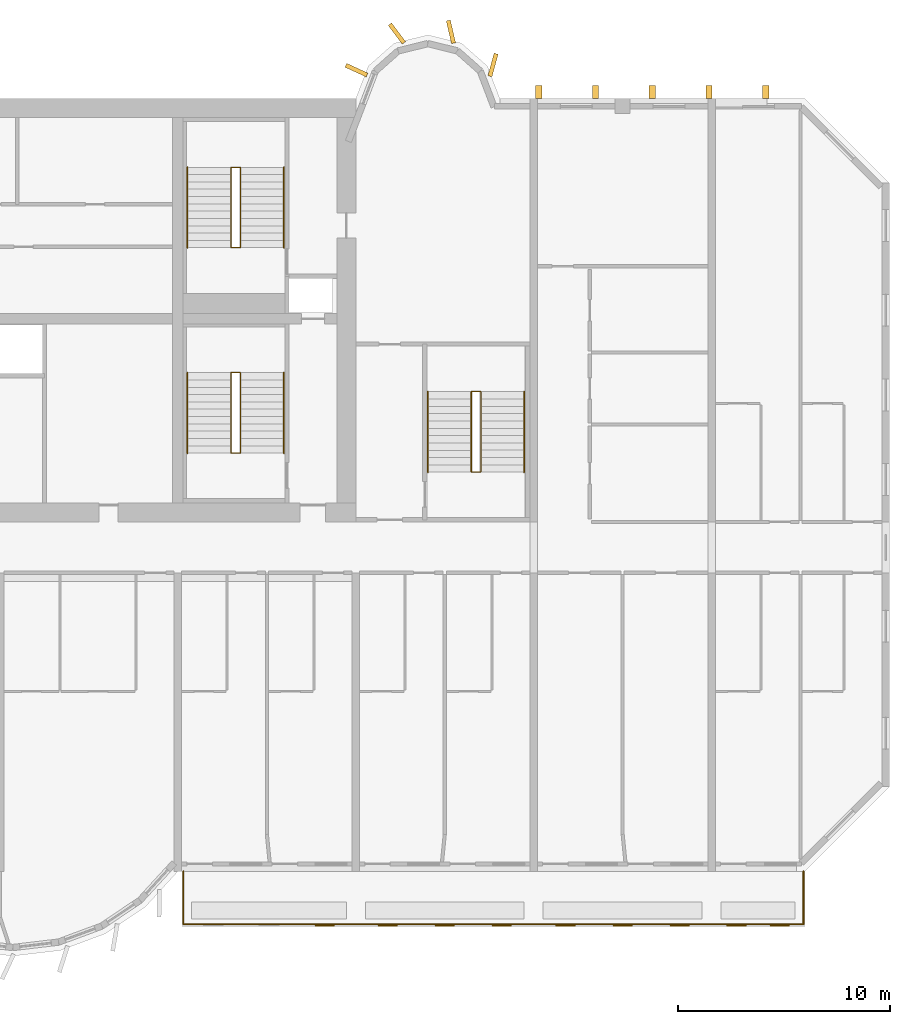
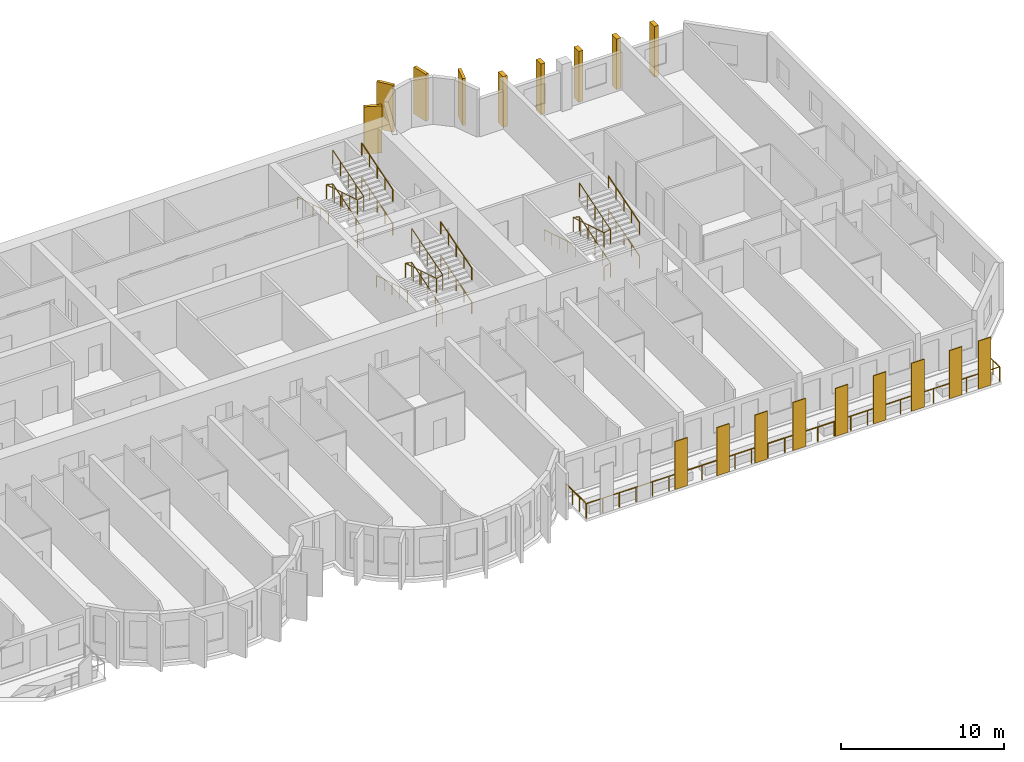
# One storey, part 13 of 14: 18 coverings, 13 railings.
"""IFC4 building model written with IfcOpenShell, lengths in metres."""

from ifc_helpers import new_model, si_unit, direction, frame, origin, origin_2d, place, context, subcontext, project, spatial, rectangle, circle, extrude, source, transform, mapped, material, layer, layer_set, material_profile, profile_set, type_object, element, save


model = new_model("IFC4")

# Units and contexts
model_context = context("Model", 3, precision=1e-05, world=origin(), true_north=direction((0.0, 1.0)))
body_context = subcontext(model_context, "Body", "Model", "MODEL_VIEW")
ifc_project = project(units=[si_unit("LENGTHUNIT", "METRE"), si_unit("AREAUNIT", "SQUARE_METRE"), si_unit("VOLUMEUNIT", "CUBIC_METRE"), si_unit("PLANEANGLEUNIT", "RADIAN"), si_unit("MASSUNIT", "GRAM", prefix="KILO")], contexts=[model_context])

# Site, building, storey
site_placement = place(None, origin())
site = spatial("IfcSite", under=ifc_project, at=site_placement, CompositionType="ELEMENT")
building_placement = place(site_placement, origin())
building = spatial("IfcBuilding", under=site, at=building_placement, Name="Vanashikhar Sky Hotel", CompositionType="ELEMENT")
storey_placement = place(building_placement, frame((0.0, 0.0, 99.0)))
storey = spatial("IfcBuildingStorey", under=building, at=storey_placement, Name="L23", CompositionType="ELEMENT", Elevation=99.0)

# Railing
ifc_material_1 = material(Name="Stainless steel 316", Category="steel")
railing_type_1 = type_object("IfcRailingType", Name="Balcony guard 1100", PredefinedType="GUARDRAIL", material=ifc_material_1)
shared_shape_1 = source(origin(), body_context, "Body", "SweptSolid", [
    extrude(circle(Radius=0.02392578125, at=origin_2d()), frame((0.0, 0.0, 1.076171875), z_axis=(0.0, -1.0, 0.0), x_axis=(1.0, 0.0, 0.0)), (0.0, 0.0, 1.0), 2.5),
    extrude(circle(Radius=0.02392578125, at=origin_2d()), frame((0.0, -2.5, 1.076171875), z_axis=(1.0, 0.0, 0.0), x_axis=(0.0, 1.0, 0.0)), (0.0, 0.0, 1.0), 29.280029296875),
    extrude(circle(Radius=0.02392578125, at=origin_2d()), frame((29.280029296875, -2.5, 1.076171875), z_axis=(0.0, 1.0, 0.0), x_axis=(-1.0, 0.0, 0.0)), (0.0, 0.0, 1.0), 2.5),
    extrude(circle(Radius=0.02099609375, at=origin_2d()), origin(), (0.0, 0.0, 1.0), 1.052001953125),
    extrude(circle(Radius=0.02099609375, at=origin_2d()), frame((0.0, -0.833251953125, 0.0)), (0.0, 0.0, 1.0), 1.052001953125),
    extrude(circle(Radius=0.02099609375, at=origin_2d()), frame((0.0, -1.666748046875, 0.0)), (0.0, 0.0, 1.0), 1.052001953125),
    extrude(circle(Radius=0.02099609375, at=origin_2d()), frame((0.0, -2.5, 0.0)), (0.0, 0.0, 1.0), 1.052001953125),
    extrude(circle(Radius=0.02099609375, at=origin_2d()), frame((1.171142578125, -2.5, 0.0)), (0.0, 0.0, 1.0), 1.052001953125),
    extrude(circle(Radius=0.02099609375, at=origin_2d()), frame((2.34228515625, -2.5, 0.0)), (0.0, 0.0, 1.0), 1.052001953125),
    extrude(circle(Radius=0.02099609375, at=origin_2d()), frame((3.513671875, -2.5, 0.0)), (0.0, 0.0, 1.0), 1.052001953125),
    extrude(circle(Radius=0.02099609375, at=origin_2d()), frame((4.684814453125, -2.5, 0.0)), (0.0, 0.0, 1.0), 1.052001953125),
    extrude(circle(Radius=0.02099609375, at=origin_2d()), frame((5.85595703125, -2.5, 0.0)), (0.0, 0.0, 1.0), 1.052001953125),
    extrude(circle(Radius=0.02099609375, at=origin_2d()), frame((7.027099609375, -2.5, 0.0)), (0.0, 0.0, 1.0), 1.052001953125),
    extrude(circle(Radius=0.02099609375, at=origin_2d()), frame((8.198486328125, -2.5, 0.0)), (0.0, 0.0, 1.0), 1.052001953125),
    extrude(circle(Radius=0.02099609375, at=origin_2d()), frame((9.36962890625, -2.5, 0.0)), (0.0, 0.0, 1.0), 1.052001953125),
    extrude(circle(Radius=0.02099609375, at=origin_2d()), frame((10.540771484375, -2.5, 0.0)), (0.0, 0.0, 1.0), 1.052001953125),
    extrude(circle(Radius=0.02099609375, at=origin_2d()), frame((11.7119140625, -2.5, 0.0)), (0.0, 0.0, 1.0), 1.052001953125),
    extrude(circle(Radius=0.02099609375, at=origin_2d()), frame((12.88330078125, -2.5, 0.0)), (0.0, 0.0, 1.0), 1.052001953125),
    extrude(circle(Radius=0.02099609375, at=origin_2d()), frame((14.054443359375, -2.5, 0.0)), (0.0, 0.0, 1.0), 1.052001953125),
    extrude(circle(Radius=0.02099609375, at=origin_2d()), frame((15.2255859375, -2.5, 0.0)), (0.0, 0.0, 1.0), 1.052001953125),
    extrude(circle(Radius=0.02099609375, at=origin_2d()), frame((16.396728515625, -2.5, 0.0)), (0.0, 0.0, 1.0), 1.052001953125),
    extrude(circle(Radius=0.02099609375, at=origin_2d()), frame((17.568115234375, -2.5, 0.0)), (0.0, 0.0, 1.0), 1.052001953125),
    extrude(circle(Radius=0.02099609375, at=origin_2d()), frame((18.7392578125, -2.5, 0.0)), (0.0, 0.0, 1.0), 1.052001953125),
    extrude(circle(Radius=0.02099609375, at=origin_2d()), frame((19.910400390625, -2.5, 0.0)), (0.0, 0.0, 1.0), 1.052001953125),
    extrude(circle(Radius=0.02099609375, at=origin_2d()), frame((21.08154296875, -2.5, 0.0)), (0.0, 0.0, 1.0), 1.052001953125),
    extrude(circle(Radius=0.02099609375, at=origin_2d()), frame((22.2529296875, -2.5, 0.0)), (0.0, 0.0, 1.0), 1.052001953125),
    extrude(circle(Radius=0.02099609375, at=origin_2d()), frame((23.424072265625, -2.5, 0.0)), (0.0, 0.0, 1.0), 1.052001953125),
    extrude(circle(Radius=0.02099609375, at=origin_2d()), frame((24.59521484375, -2.5, 0.0)), (0.0, 0.0, 1.0), 1.052001953125),
    extrude(circle(Radius=0.02099609375, at=origin_2d()), frame((25.766357421875, -2.5, 0.0)), (0.0, 0.0, 1.0), 1.052001953125),
    extrude(circle(Radius=0.02099609375, at=origin_2d()), frame((26.937744140625, -2.5, 0.0)), (0.0, 0.0, 1.0), 1.052001953125),
    extrude(circle(Radius=0.02099609375, at=origin_2d()), frame((28.10888671875, -2.5, 0.0)), (0.0, 0.0, 1.0), 1.052001953125),
    extrude(circle(Radius=0.02099609375, at=origin_2d()), frame((29.280029296875, -2.5, 0.0)), (0.0, 0.0, 1.0), 1.052001953125),
    extrude(circle(Radius=0.02099609375, at=origin_2d()), frame((29.280029296875, -1.666748046875, 0.0)), (0.0, 0.0, 1.0), 1.052001953125),
    extrude(circle(Radius=0.02099609375, at=origin_2d()), frame((29.280029296875, -0.833251953125, 0.0)), (0.0, 0.0, 1.0), 1.052001953125),
    extrude(circle(Radius=0.02099609375, at=origin_2d()), frame((29.280029296875, 0.0, 0.0)), (0.0, 0.0, 1.0), 1.052001953125),
])
railing_1_placement = place(storey_placement, frame((67.4599609375, 5.5, -0.050048828125)))
element("IfcRailing", 1, at=railing_1_placement, inside=storey, type_object=railing_type_1, Name="Balcony guard", PredefinedType="GUARDRAIL", context=body_context, shape_type="MappedRepresentation", body=[
    mapped(shared_shape_1, transform((0.0, 0.0, 0.0), scale=1.0)),
])

# Coverings
ifc_material_2 = material(Name="Terracotta", Category="masonry")
ifc_layer = layer(ifc_material_2, 0.06005859375)
ifc_layer_set = layer_set([ifc_layer], Name="Terracotta baguette screen")
covering_type_1 = type_object("IfcCoveringType", Name="Terracotta baguette screen", PredefinedType="CLADDING", material=ifc_layer_set)
shared_shape_2 = source(origin(), body_context, "Body", "SweptSolid", [
    extrude(rectangle(XDim=0.89990234375, YDim=0.06005859375, at=origin_2d()), origin(), (0.0, 0.0, 1.0), 3.60009765625),
])
for number, where, z_axis, x_axis, name in (
    (2, (74.13330078125, 2.929931640625, -0.050048828125), (0.0, 0.0, 1.0), (1.0, 0.0, 0.0), "Terracotta screen"),
    (3, (77.10009765625, 2.929931640625, -0.050048828125), (0.0, 0.0, 1.0), (1.0, 0.0, 0.0), "Terracotta screen"),
    (4, (79.800048828125, 2.929931640625, -0.050048828125), (0.0, 0.0, 1.0), (1.0, 0.0, 0.0), "Terracotta screen"),
    (5, (82.5, 2.929931640625, -0.050048828125), (0.0, 0.0, 1.0), (1.0, 0.0, 0.0), "Terracotta screen"),
    (6, (85.5, 2.929931640625, -0.050048828125), (0.0, 0.0, 1.0), (1.0, 0.0, 0.0), "Terracotta screen"),
    (7, (88.199951171875, 2.929931640625, -0.050048828125), (0.0, 0.0, 1.0), (1.0, 0.0, 0.0), "Terracotta screen"),
    (8, (90.89990234375, 2.929931640625, -0.050048828125), (0.0, 0.0, 1.0), (1.0, 0.0, 0.0), "Terracotta screen"),
    (9, (93.574951171875, 2.929931640625, -0.050048828125), (0.0, 0.0, 1.0), (1.0, 0.0, 0.0), "Terracotta screen"),
    (10, (95.625, 2.929931640625, -0.050048828125), (0.0, 0.0, 1.0), (1.0, 0.0, 0.0), "Terracotta screen"),
):
    element("IfcCovering", number, at=place(storey_placement, frame(where, z_axis=z_axis, x_axis=x_axis)), inside=storey, type_object=covering_type_1, Name=name, PredefinedType="CLADDING", context=body_context, shape_type="MappedRepresentation", body=[
        mapped(shared_shape_2, transform((0.0, 0.0, 0.0), scale=1.0)),
    ])
ifc_material_3 = material(Name="Concrete M60 dark", Category="concrete")
ifc_material_profile_1 = material_profile(ifc_material_3, rectangle(XDim=1.10009765625, YDim=0.199951171875, at=origin_2d()))
ifc_profile_set_1 = profile_set([ifc_material_profile_1], Name="Rear lobe fin 1100 x 200")
covering_type_2 = type_object("IfcCoveringType", Name="Rear lobe fin 1100 x 200", PredefinedType="CLADDING", material=ifc_profile_set_1)
shared_shape_3 = source(origin(), body_context, "Body", "SweptSolid", [
    extrude(rectangle(XDim=1.10009765625, YDim=0.199951171875, at=origin_2d()), origin(), (0.0, 0.0, 1.0), 3.52001953125),
])
for number, where, z_axis, x_axis, name in (
    (11, (75.63037109375, 43.33447265625, 0.0), (0.0, 0.0, 1.0), (-0.908004291068, 0.418960866193, 0.0), "Fin R2-1"),
    (12, (77.5380859375, 45.06640625, 0.0), (0.0, 0.0, 1.0), (-0.602065892195, 0.798446404874, 0.0), "Fin R2-2"),
    (13, (80.08984375, 45.1455078125, 0.0), (0.0, 0.0, 1.0), (-0.224644935864, 0.974440687159, 0.0), "Fin R2-3"),
    (14, (82.0791015625, 43.580078125, 0.0), (0.0, 0.0, 1.0), (0.262711264409, 0.964874495234, 0.0), "Fin R2-4"),
):
    element("IfcCovering", number, at=place(storey_placement, frame(where, z_axis=z_axis, x_axis=x_axis)), inside=storey, type_object=covering_type_2, Name=name, PredefinedType="CLADDING", context=body_context, shape_type="MappedRepresentation", body=[
        mapped(shared_shape_3, transform((0.0, 0.0, 0.0), scale=1.0)),
    ])
ifc_material_profile_2 = material_profile(ifc_material_3, rectangle(XDim=0.60009765625, YDim=0.300048828125, at=origin_2d()))
ifc_profile_set_2 = profile_set([ifc_material_profile_2], Name="Rear rib 600 x 300")
covering_type_3 = type_object("IfcCoveringType", Name="Rear rib 600 x 300", PredefinedType="CLADDING", material=ifc_profile_set_2)
shared_shape_4 = source(origin(), body_context, "Body", "SweptSolid", [
    extrude(rectangle(XDim=0.60009765625, YDim=0.300048828125, at=origin_2d()), origin(), (0.0, 0.0, 1.0), 3.800048828125),
])
for number, where, z_axis, x_axis, name in (
    (15, (84.239990234375, 42.300048828125, -0.280029296875), (0.0, 0.0, 1.0), (0.0, 1.0, 0.0), "Rear rib"),
    (16, (86.919921875, 42.300048828125, -0.280029296875), (0.0, 0.0, 1.0), (0.0, 1.0, 0.0), "Rear rib"),
    (17, (89.60009765625, 42.300048828125, -0.280029296875), (0.0, 0.0, 1.0), (0.0, 1.0, 0.0), "Rear rib"),
    (18, (92.280029296875, 42.300048828125, -0.280029296875), (0.0, 0.0, 1.0), (0.0, 1.0, 0.0), "Rear rib"),
    (19, (94.9599609375, 42.300048828125, -0.280029296875), (0.0, 0.0, 1.0), (0.0, 1.0, 0.0), "Rear rib"),
):
    element("IfcCovering", number, at=place(storey_placement, frame(where, z_axis=z_axis, x_axis=x_axis)), inside=storey, type_object=covering_type_3, Name=name, PredefinedType="CLADDING", context=body_context, shape_type="MappedRepresentation", body=[
        mapped(shared_shape_4, transform((0.0, 0.0, 0.0), scale=1.0)),
    ])

# Railings
ifc_material_4 = material(Name="Steel S355", Category="steel")
railing_type_2 = type_object("IfcRailingType", Name="Stair handrail 900", PredefinedType="HANDRAIL", material=ifc_material_4)
shared_shape_5 = source(origin(), body_context, "Body", "SweptSolid", [
    extrude(circle(Radius=0.02392578125, at=origin_2d()), frame((0.0, 0.0, 0.8759765625), z_axis=(0.0, 0.95635109408, 0.292220096591), x_axis=(-1.0, 0.0, 0.0)), (0.0, 0.0, 1.0), 3.973388671875),
    extrude(circle(Radius=0.02099609375, at=origin_2d()), origin(), (0.0, 0.0, 1.0), 0.851806640625),
    extrude(circle(Radius=0.02099609375, at=origin_2d()), frame((0.0, 0.949951171875, 0.290283203125)), (0.0, 0.0, 1.0), 0.851806640625),
    extrude(circle(Radius=0.02099609375, at=origin_2d()), frame((0.0, 1.89990234375, 0.58056640625)), (0.0, 0.0, 1.0), 0.851806640625),
    extrude(circle(Radius=0.02099609375, at=origin_2d()), frame((0.0, 2.85009765625, 0.870849609375)), (0.0, 0.0, 1.0), 0.851806640625),
    extrude(circle(Radius=0.02099609375, at=origin_2d()), frame((0.0, 3.800048828125, 1.1611328125)), (0.0, 0.0, 1.0), 0.851806640625),
])
for number, where, name in (
    (20, (72.199951171875, 25.25, 0.10546875), "Exit stair 2 handrail"),
    (21, (72.199951171875, 25.25, 2.638916015625), "Exit stair 2 handrail"),
    (22, (72.199951171875, 34.949951171875, 0.10546875), "Exit stair 6 handrail"),
    (23, (72.199951171875, 34.949951171875, 2.638916015625), "Exit stair 6 handrail"),
):
    element("IfcRailing", number, at=place(storey_placement, frame(where)), inside=storey, type_object=railing_type_2, Name=name, PredefinedType="HANDRAIL", context=body_context, shape_type="MappedRepresentation", body=[
        mapped(shared_shape_5, transform((0.0, 0.0, 0.0), scale=1.0)),
    ])
shared_shape_6 = source(origin(), body_context, "Body", "SweptSolid", [
    extrude(circle(Radius=0.02392578125, at=origin_2d()), frame((0.0, 0.0, 0.8759765625), z_axis=(0.0, -0.95635109408, 0.292220096591), x_axis=(1.0, 0.0, 0.0)), (0.0, 0.0, 1.0), 3.973388671875),
    extrude(circle(Radius=0.02099609375, at=origin_2d()), origin(), (0.0, 0.0, 1.0), 0.851806640625),
    extrude(circle(Radius=0.02099609375, at=origin_2d()), frame((0.0, -0.949951171875, 0.290283203125)), (0.0, 0.0, 1.0), 0.851806640625),
    extrude(circle(Radius=0.02099609375, at=origin_2d()), frame((0.0, -1.89990234375, 0.58056640625)), (0.0, 0.0, 1.0), 0.851806640625),
    extrude(circle(Radius=0.02099609375, at=origin_2d()), frame((0.0, -2.85009765625, 0.870849609375)), (0.0, 0.0, 1.0), 0.851806640625),
    extrude(circle(Radius=0.02099609375, at=origin_2d()), frame((0.0, -3.800048828125, 1.1611328125)), (0.0, 0.0, 1.0), 0.851806640625),
])
for number, where, name in (
    (24, (67.64990234375, 29.050048828125, 1.372314453125), "Exit stair 2 handrail"),
    (25, (67.64990234375, 38.75, 1.372314453125), "Exit stair 6 handrail"),
):
    element("IfcRailing", number, at=place(storey_placement, frame(where)), inside=storey, type_object=railing_type_2, Name=name, PredefinedType="HANDRAIL", context=body_context, shape_type="MappedRepresentation", body=[
        mapped(shared_shape_6, transform((0.0, 0.0, 0.0), scale=1.0)),
    ])
railing_type_3 = type_object("IfcRailingType", Name="Stair guard 1100", PredefinedType="GUARDRAIL", material=ifc_material_4)
shared_shape_7 = source(origin(), body_context, "Body", "SweptSolid", [
    extrude(circle(Radius=0.02392578125, at=origin_2d()), frame((0.0, 0.0, 1.076171875), z_axis=(0.973610808694, 0.0, 0.228214796178), x_axis=(0.0, 1.0, 0.0)), (0.0, 0.0, 1.0), 0.462158203125),
    extrude(circle(Radius=0.02392578125, at=origin_2d()), frame((0.449951171875, 0.0, 1.181640625), z_axis=(0.0, 0.95635109408, 0.292220096591), x_axis=(-1.0, 0.0, 0.0)), (0.0, 0.0, 1.0), 3.973388671875),
    extrude(circle(Radius=0.02392578125, at=origin_2d()), frame((0.449951171875, 3.800048828125, 2.3427734375), z_axis=(-0.973493315427, 0.0, 0.228715466945), x_axis=(0.0, -1.0, 0.0)), (0.0, 0.0, 1.0), 0.462158203125),
    extrude(circle(Radius=0.02392578125, at=origin_2d()), frame((0.0, 3.800048828125, 2.4482421875), z_axis=(0.0, -0.95635109408, 0.292220096591), x_axis=(1.0, 0.0, 0.0)), (0.0, 0.0, 1.0), 3.973388671875),
    extrude(circle(Radius=0.02392578125, at=origin_2d()), frame((0.0, 0.0, 3.609375), z_axis=(0.973610808694, 0.0, 0.228214796178), x_axis=(0.0, 1.0, 0.0)), (0.0, 0.0, 1.0), 0.462158203125),
    extrude(circle(Radius=0.02392578125, at=origin_2d()), frame((0.449951171875, 0.0, 3.71484375), z_axis=(0.0, 0.95635109408, 0.292220096591), x_axis=(-1.0, 0.0, 0.0)), (0.0, 0.0, 1.0), 3.973388671875),
    extrude(circle(Radius=0.02099609375, at=origin_2d()), origin(), (0.0, 0.0, 1.0), 1.052001953125),
    extrude(circle(Radius=0.02099609375, at=origin_2d()), frame((0.449951171875, 0.0, 0.10546875)), (0.0, 0.0, 1.0), 1.052001953125),
    extrude(circle(Radius=0.02099609375, at=origin_2d()), frame((0.449951171875, 0.949951171875, 0.395751953125)), (0.0, 0.0, 1.0), 1.052001953125),
    extrude(circle(Radius=0.02099609375, at=origin_2d()), frame((0.449951171875, 1.89990234375, 0.68603515625)), (0.0, 0.0, 1.0), 1.052001953125),
    extrude(circle(Radius=0.02099609375, at=origin_2d()), frame((0.449951171875, 2.85009765625, 0.976318359375)), (0.0, 0.0, 1.0), 1.052001953125),
    extrude(circle(Radius=0.02099609375, at=origin_2d()), frame((0.449951171875, 3.800048828125, 1.2666015625)), (0.0, 0.0, 1.0), 1.052001953125),
    extrude(circle(Radius=0.02099609375, at=origin_2d()), frame((0.0, 3.800048828125, 1.372314453125)), (0.0, 0.0, 1.0), 1.052001953125),
    extrude(circle(Radius=0.02099609375, at=origin_2d()), frame((0.0, 2.85009765625, 1.66259765625)), (0.0, 0.0, 1.0), 1.052001953125),
    extrude(circle(Radius=0.02099609375, at=origin_2d()), frame((0.0, 1.89990234375, 1.952880859375)), (0.0, 0.0, 1.0), 1.052001953125),
    extrude(circle(Radius=0.02099609375, at=origin_2d()), frame((0.0, 0.949951171875, 2.2431640625)), (0.0, 0.0, 1.0), 1.052001953125),
    extrude(circle(Radius=0.02099609375, at=origin_2d()), frame((0.0, 0.0, 2.533447265625)), (0.0, 0.0, 1.0), 1.052001953125),
    extrude(circle(Radius=0.02099609375, at=origin_2d()), frame((0.449951171875, 0.0, 2.638916015625)), (0.0, 0.0, 1.0), 1.052001953125),
    extrude(circle(Radius=0.02099609375, at=origin_2d()), frame((0.449951171875, 0.949951171875, 2.92919921875)), (0.0, 0.0, 1.0), 1.052001953125),
    extrude(circle(Radius=0.02099609375, at=origin_2d()), frame((0.449951171875, 1.89990234375, 3.219482421875)), (0.0, 0.0, 1.0), 1.052001953125),
    extrude(circle(Radius=0.02099609375, at=origin_2d()), frame((0.449951171875, 2.85009765625, 3.509765625)), (0.0, 0.0, 1.0), 1.052001953125),
    extrude(circle(Radius=0.02099609375, at=origin_2d()), frame((0.449951171875, 3.800048828125, 3.800048828125)), (0.0, 0.0, 1.0), 1.052001953125),
])
for number, where, name in (
    (26, (69.699951171875, 25.25, 0.0), "Exit stair 2 guard"),
    (27, (69.699951171875, 34.949951171875, 0.0), "Exit stair 6 guard"),
):
    element("IfcRailing", number, at=place(storey_placement, frame(where)), inside=storey, type_object=railing_type_3, Name=name, PredefinedType="GUARDRAIL", context=body_context, shape_type="MappedRepresentation", body=[
        mapped(shared_shape_7, transform((0.0, 0.0, 0.0), scale=1.0)),
    ])
shared_shape_8 = source(origin(), body_context, "Body", "SweptSolid", [
    extrude(circle(Radius=0.02392578125, at=origin_2d()), frame((0.0, 0.0, 0.8759765625), z_axis=(0.0, 0.956345846891, 0.292237268557), x_axis=(-1.0, 0.0, 0.0)), (0.0, 0.0, 1.0), 3.97314453125),
    extrude(circle(Radius=0.02099609375, at=origin_2d()), origin(), (0.0, 0.0, 1.0), 0.851806640625),
    extrude(circle(Radius=0.02099609375, at=origin_2d()), frame((0.0, 0.949951171875, 0.290283203125)), (0.0, 0.0, 1.0), 0.851806640625),
    extrude(circle(Radius=0.02099609375, at=origin_2d()), frame((0.0, 1.89990234375, 0.58056640625)), (0.0, 0.0, 1.0), 0.851806640625),
    extrude(circle(Radius=0.02099609375, at=origin_2d()), frame((0.0, 2.849853515625, 0.870849609375)), (0.0, 0.0, 1.0), 0.851806640625),
    extrude(circle(Radius=0.02099609375, at=origin_2d()), frame((0.0, 3.7998046875, 1.1611328125)), (0.0, 0.0, 1.0), 0.851806640625),
])
for number, where, name in (
    (28, (83.550048828125, 24.35009765625, 0.10546875), "Exit stair 4 handrail"),
    (29, (83.550048828125, 24.35009765625, 2.638916015625), "Exit stair 4 handrail"),
):
    element("IfcRailing", number, at=place(storey_placement, frame(where)), inside=storey, type_object=railing_type_2, Name=name, PredefinedType="HANDRAIL", context=body_context, shape_type="MappedRepresentation", body=[
        mapped(shared_shape_8, transform((0.0, 0.0, 0.0), scale=1.0)),
    ])
shared_shape_9 = source(origin(), body_context, "Body", "SweptSolid", [
    extrude(circle(Radius=0.02392578125, at=origin_2d()), frame((0.0, 0.0, 0.8759765625), z_axis=(0.0, -0.956345846891, 0.292237268557), x_axis=(1.0, 0.0, 0.0)), (0.0, 0.0, 1.0), 3.97314453125),
    extrude(circle(Radius=0.02099609375, at=origin_2d()), origin(), (0.0, 0.0, 1.0), 0.851806640625),
    extrude(circle(Radius=0.02099609375, at=origin_2d()), frame((0.0, -0.949951171875, 0.290283203125)), (0.0, 0.0, 1.0), 0.851806640625),
    extrude(circle(Radius=0.02099609375, at=origin_2d()), frame((0.0, -1.89990234375, 0.58056640625)), (0.0, 0.0, 1.0), 0.851806640625),
    extrude(circle(Radius=0.02099609375, at=origin_2d()), frame((0.0, -2.849853515625, 0.870849609375)), (0.0, 0.0, 1.0), 0.851806640625),
    extrude(circle(Radius=0.02099609375, at=origin_2d()), frame((0.0, -3.7998046875, 1.1611328125)), (0.0, 0.0, 1.0), 0.851806640625),
])
railing_2_placement = place(storey_placement, frame((79.0, 28.14990234375, 1.372314453125)))
element("IfcRailing", 30, at=railing_2_placement, inside=storey, type_object=railing_type_2, Name="Exit stair 4 handrail", PredefinedType="HANDRAIL", context=body_context, shape_type="MappedRepresentation", body=[
    mapped(shared_shape_9, transform((0.0, 0.0, 0.0), scale=1.0)),
])
shared_shape_10 = source(origin(), body_context, "Body", "SweptSolid", [
    extrude(circle(Radius=0.02392578125, at=origin_2d()), frame((0.0, 0.0, 1.076171875), z_axis=(0.973610808694, 0.0, 0.228214796178), x_axis=(0.0, 1.0, 0.0)), (0.0, 0.0, 1.0), 0.462158203125),
    extrude(circle(Radius=0.02392578125, at=origin_2d()), frame((0.449951171875, 0.0, 1.181640625), z_axis=(0.0, 0.956345846891, 0.292237268557), x_axis=(-1.0, 0.0, 0.0)), (0.0, 0.0, 1.0), 3.97314453125),
    extrude(circle(Radius=0.02392578125, at=origin_2d()), frame((0.449951171875, 3.7998046875, 2.3427734375), z_axis=(-0.973493315427, 0.0, 0.228715466945), x_axis=(0.0, -1.0, 0.0)), (0.0, 0.0, 1.0), 0.462158203125),
    extrude(circle(Radius=0.02392578125, at=origin_2d()), frame((0.0, 3.7998046875, 2.4482421875), z_axis=(0.0, -0.956345846891, 0.292237268557), x_axis=(1.0, 0.0, 0.0)), (0.0, 0.0, 1.0), 3.97314453125),
    extrude(circle(Radius=0.02392578125, at=origin_2d()), frame((0.0, 0.0, 3.609375), z_axis=(0.973610808694, 0.0, 0.228214796178), x_axis=(0.0, 1.0, 0.0)), (0.0, 0.0, 1.0), 0.462158203125),
    extrude(circle(Radius=0.02392578125, at=origin_2d()), frame((0.449951171875, 0.0, 3.71484375), z_axis=(0.0, 0.956345846891, 0.292237268557), x_axis=(-1.0, 0.0, 0.0)), (0.0, 0.0, 1.0), 3.97314453125),
    extrude(circle(Radius=0.02099609375, at=origin_2d()), origin(), (0.0, 0.0, 1.0), 1.052001953125),
    extrude(circle(Radius=0.02099609375, at=origin_2d()), frame((0.449951171875, 0.0, 0.10546875)), (0.0, 0.0, 1.0), 1.052001953125),
    extrude(circle(Radius=0.02099609375, at=origin_2d()), frame((0.449951171875, 0.949951171875, 0.395751953125)), (0.0, 0.0, 1.0), 1.052001953125),
    extrude(circle(Radius=0.02099609375, at=origin_2d()), frame((0.449951171875, 1.89990234375, 0.68603515625)), (0.0, 0.0, 1.0), 1.052001953125),
    extrude(circle(Radius=0.02099609375, at=origin_2d()), frame((0.449951171875, 2.849853515625, 0.976318359375)), (0.0, 0.0, 1.0), 1.052001953125),
    extrude(circle(Radius=0.02099609375, at=origin_2d()), frame((0.449951171875, 3.7998046875, 1.2666015625)), (0.0, 0.0, 1.0), 1.052001953125),
    extrude(circle(Radius=0.02099609375, at=origin_2d()), frame((0.0, 3.7998046875, 1.372314453125)), (0.0, 0.0, 1.0), 1.052001953125),
    extrude(circle(Radius=0.02099609375, at=origin_2d()), frame((0.0, 2.849853515625, 1.66259765625)), (0.0, 0.0, 1.0), 1.052001953125),
    extrude(circle(Radius=0.02099609375, at=origin_2d()), frame((0.0, 1.89990234375, 1.952880859375)), (0.0, 0.0, 1.0), 1.052001953125),
    extrude(circle(Radius=0.02099609375, at=origin_2d()), frame((0.0, 0.949951171875, 2.2431640625)), (0.0, 0.0, 1.0), 1.052001953125),
    extrude(circle(Radius=0.02099609375, at=origin_2d()), frame((0.0, 0.0, 2.533447265625)), (0.0, 0.0, 1.0), 1.052001953125),
    extrude(circle(Radius=0.02099609375, at=origin_2d()), frame((0.449951171875, 0.0, 2.638916015625)), (0.0, 0.0, 1.0), 1.052001953125),
    extrude(circle(Radius=0.02099609375, at=origin_2d()), frame((0.449951171875, 0.949951171875, 2.92919921875)), (0.0, 0.0, 1.0), 1.052001953125),
    extrude(circle(Radius=0.02099609375, at=origin_2d()), frame((0.449951171875, 1.89990234375, 3.219482421875)), (0.0, 0.0, 1.0), 1.052001953125),
    extrude(circle(Radius=0.02099609375, at=origin_2d()), frame((0.449951171875, 2.849853515625, 3.509765625)), (0.0, 0.0, 1.0), 1.052001953125),
    extrude(circle(Radius=0.02099609375, at=origin_2d()), frame((0.449951171875, 3.7998046875, 3.800048828125)), (0.0, 0.0, 1.0), 1.052001953125),
])
railing_3_placement = place(storey_placement, frame((81.050048828125, 24.35009765625, 0.0)))
element("IfcRailing", 31, at=railing_3_placement, inside=storey, type_object=railing_type_3, Name="Exit stair 4 guard", PredefinedType="GUARDRAIL", context=body_context, shape_type="MappedRepresentation", body=[
    mapped(shared_shape_10, transform((0.0, 0.0, 0.0), scale=1.0)),
])

save(model, "model.ifc")
